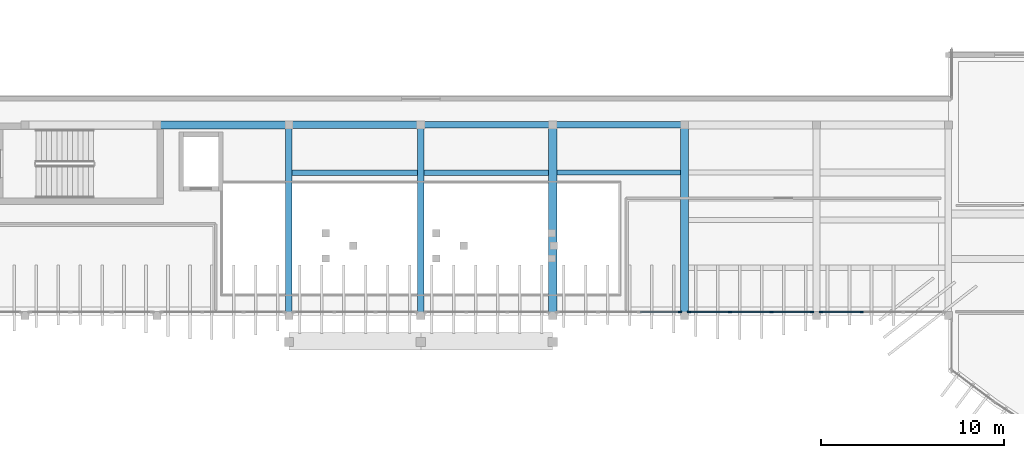
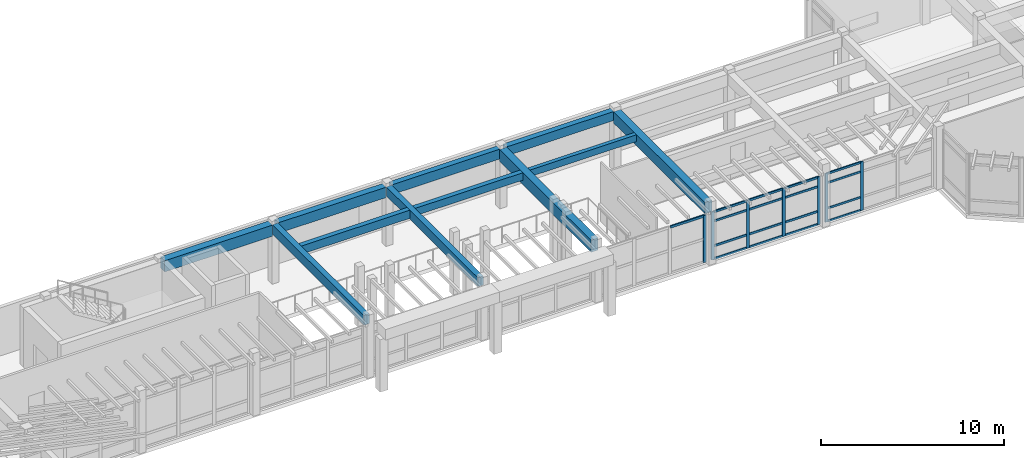
# One storey, part 17 of 60: 24 members, 11 beams, 3 elements without a shape of their own.
"""IFC4 building model written with IfcOpenShell, lengths in metres."""

from ifc_helpers import new_model, si_unit, direction, frame, origin, origin_2d, place, context, subcontext, project, spatial, rectangle, extrude, material, layer, layer_set, material_profile, profile_set, type_object, element, aggregate, save


model = new_model("IFC4")

# Units and contexts
model_context = context("Model", 3, precision=1e-05, world=origin(), true_north=direction((0.0, 1.0)))
body_context = subcontext(model_context, "Body", "Model", "MODEL_VIEW")
ifc_project = project(units=[si_unit("LENGTHUNIT", "METRE"), si_unit("AREAUNIT", "SQUARE_METRE"), si_unit("VOLUMEUNIT", "CUBIC_METRE"), si_unit("PLANEANGLEUNIT", "RADIAN"), si_unit("MASSUNIT", "GRAM", prefix="KILO")], contexts=[model_context])

# Site, building, storey
site_placement = place(None, origin())
site = spatial("IfcSite", under=ifc_project, at=site_placement, CompositionType="ELEMENT")
building_placement = place(site_placement, origin())
building = spatial("IfcBuilding", under=site, at=building_placement, Name="Brisavento Harbour Community Centre", CompositionType="ELEMENT")
storey_placement = place(building_placement, frame((0.0, 0.0, 4.5)))
storey = spatial("IfcBuildingStorey", under=building, at=storey_placement, Name="L01", CompositionType="ELEMENT", Elevation=4.5)

# Beams
ifc_material_1 = material(Name="Concrete C35/45", Category="concrete")
ifc_material_profile_1 = material_profile(ifc_material_1, rectangle(XDim=0.25, YDim=0.449951171875, at=origin_2d()), Name="Concrete C35/45")
ifc_profile_set_1 = profile_set([ifc_material_profile_1], Name="Concrete C35/45")
beam_type_1 = type_object("IfcBeamType", Name="BM-JST-250x450", PredefinedType="JOIST", material=ifc_profile_set_1)
beam_1_placement = place(storey_placement, frame((86.625, 22.199951171875, 3.72509765625), z_axis=(1.0, 0.0, 0.0), x_axis=(0.0, 1.0, 0.0)))
element("IfcBeam", 1, at=beam_1_placement, inside=storey, type_object=beam_type_1, Name="L01 secondary floor joist 0244", PredefinedType="JOIST", context=body_context, shape_type="SweptSolid", body=[
    extrude(rectangle(XDim=0.25, YDim=0.449951171875, at=origin_2d()), origin(), (0.0, 0.0, 1.0), 6.75),
])
ifc_material_profile_2 = material_profile(ifc_material_1, rectangle(XDim=0.300048828125, YDim=0.5, at=origin_2d()), Name="Concrete C35/45")
ifc_profile_set_2 = profile_set([ifc_material_profile_2], Name="Concrete C35/45")
beam_type_2 = type_object("IfcBeamType", Name="BM-JST-300x500", PredefinedType="JOIST", material=ifc_profile_set_2)
beam_2_placement = place(storey_placement, frame((79.375, 22.199951171875, 3.699951171875), z_axis=(1.0, 0.0, 0.0), x_axis=(0.0, 1.0, 0.0)))
element("IfcBeam", 2, at=beam_2_placement, inside=storey, type_object=beam_type_2, Name="L01 secondary floor joist 0243", PredefinedType="JOIST", context=body_context, shape_type="SweptSolid", body=[
    extrude(rectangle(XDim=0.300048828125, YDim=0.5, at=origin_2d()), origin(), (0.0, 0.0, 1.0), 6.800048828125),
])
ifc_material_profile_3 = material_profile(ifc_material_1, rectangle(XDim=0.300048828125, YDim=0.550048828125, at=origin_2d()), Name="Concrete C35/45")
ifc_profile_set_3 = profile_set([ifc_material_profile_3], Name="Concrete C35/45")
beam_type_3 = type_object("IfcBeamType", Name="BM-JST-300x550", PredefinedType="JOIST", material=ifc_profile_set_3)
beam_3_placement = place(storey_placement, frame((72.175048828125, 22.199951171875, 3.675048828125), z_axis=(1.0, 0.0, 0.0), x_axis=(0.0, 1.0, 0.0)))
element("IfcBeam", 3, at=beam_3_placement, inside=storey, type_object=beam_type_3, Name="L01 secondary floor joist 0242", PredefinedType="JOIST", context=body_context, shape_type="SweptSolid", body=[
    extrude(rectangle(XDim=0.300048828125, YDim=0.550048828125, at=origin_2d()), origin(), (0.0, 0.0, 1.0), 6.849853515625),
])
ifc_material_profile_4 = material_profile(ifc_material_1, rectangle(XDim=0.35009765625, YDim=0.60009765625, at=origin_2d()), Name="Concrete C35/45")
ifc_profile_set_4 = profile_set([ifc_material_profile_4], Name="Concrete C35/45")
beam_type_4 = type_object("IfcBeamType", Name="BM-RC-350x600", PredefinedType="BEAM", material=ifc_profile_set_4)
beam_4_placement = place(storey_placement, frame((86.594970703125, 24.800048828125, 3.64990234375), z_axis=(1.0, 0.0, 0.0), x_axis=(0.0, 1.0, 0.0)))
element("IfcBeam", 4, at=beam_4_placement, inside=storey, type_object=beam_type_4, Name="L01 primary girder X0429", PredefinedType="BEAM", context=body_context, shape_type="SweptSolid", body=[
    extrude(rectangle(XDim=0.35009765625, YDim=0.60009765625, at=origin_2d()), origin(), (0.0, 0.0, 1.0), 6.81005859375),
])
beam_5_placement = place(storey_placement, frame((79.199951171875, 14.594970703125, 3.64990234375), z_axis=(0.0, 1.0, 0.0), x_axis=(-1.0, 0.0, 0.0)))
element("IfcBeam", 5, at=beam_5_placement, inside=storey, type_object=beam_type_4, Name="L01 primary girder Y0499", PredefinedType="BEAM", context=body_context, shape_type="SweptSolid", body=[
    extrude(rectangle(XDim=0.35009765625, YDim=0.60009765625, at=origin_2d()), origin(), (0.0, 0.0, 1.0), 10.010009765625),
])
ifc_material_profile_5 = material_profile(ifc_material_1, rectangle(XDim=0.35009765625, YDim=0.64990234375, at=origin_2d()), Name="Concrete C35/45")
ifc_profile_set_5 = profile_set([ifc_material_profile_5], Name="Concrete C35/45")
beam_type_5 = type_object("IfcBeamType", Name="BM-RC-350x650", PredefinedType="BEAM", material=ifc_profile_set_5)
beam_6_placement = place(storey_placement, frame((79.39501953125, 24.800048828125, 3.625), z_axis=(1.0, 0.0, 0.0), x_axis=(0.0, 1.0, 0.0)))
element("IfcBeam", 6, at=beam_6_placement, inside=storey, type_object=beam_type_5, Name="L01 primary girder X0428", PredefinedType="BEAM", context=body_context, shape_type="SweptSolid", body=[
    extrude(rectangle(XDim=0.35009765625, YDim=0.64990234375, at=origin_2d()), origin(), (0.0, 0.0, 1.0), 6.81005859375),
])
beam_7_placement = place(storey_placement, frame((72.0, 14.594970703125, 3.625), z_axis=(0.0, 1.0, 0.0), x_axis=(-1.0, 0.0, 0.0)))
element("IfcBeam", 7, at=beam_7_placement, inside=storey, type_object=beam_type_5, Name="L01 primary girder Y0498", PredefinedType="BEAM", context=body_context, shape_type="SweptSolid", body=[
    extrude(rectangle(XDim=0.35009765625, YDim=0.64990234375, at=origin_2d()), origin(), (0.0, 0.0, 1.0), 10.010009765625),
])
ifc_material_profile_6 = material_profile(ifc_material_1, rectangle(XDim=0.39990234375, YDim=0.699951171875, at=origin_2d()), Name="Concrete C35/45")
ifc_profile_set_6 = profile_set([ifc_material_profile_6], Name="Concrete C35/45")
beam_type_6 = type_object("IfcBeamType", Name="BM-RC-400x700", PredefinedType="BEAM", material=ifc_profile_set_6)
beam_8_placement = place(storey_placement, frame((72.195068359375, 24.800048828125, 3.60009765625), z_axis=(1.0, 0.0, 0.0), x_axis=(0.0, 1.0, 0.0)))
element("IfcBeam", 8, at=beam_8_placement, inside=storey, type_object=beam_type_6, Name="L01 primary girder X0427", PredefinedType="BEAM", context=body_context, shape_type="SweptSolid", body=[
    extrude(rectangle(XDim=0.39990234375, YDim=0.699951171875, at=origin_2d()), origin(), (0.0, 0.0, 1.0), 6.809814453125),
])
ifc_material_profile_7 = material_profile(ifc_material_1, rectangle(XDim=0.449951171875, YDim=0.75, at=origin_2d()), Name="Concrete C35/45")
ifc_profile_set_7 = profile_set([ifc_material_profile_7], Name="Concrete C35/45")
beam_type_7 = type_object("IfcBeamType", Name="BM-RC-450x750", PredefinedType="BEAM", material=ifc_profile_set_7)
beam_9_placement = place(storey_placement, frame((64.9951171875, 24.800048828125, 3.574951171875), z_axis=(1.0, 0.0, 0.0), x_axis=(0.0, 1.0, 0.0)))
element("IfcBeam", 9, at=beam_9_placement, inside=storey, type_object=beam_type_7, Name="L01 primary girder X0426", PredefinedType="BEAM", context=body_context, shape_type="SweptSolid", body=[
    extrude(rectangle(XDim=0.449951171875, YDim=0.75, at=origin_2d()), origin(), (0.0, 0.0, 1.0), 6.809814453125),
])
beam_10_placement = place(storey_placement, frame((93.60009765625, 14.594970703125, 3.574951171875), z_axis=(0.0, 1.0, 0.0), x_axis=(-1.0, 0.0, 0.0)))
element("IfcBeam", 10, at=beam_10_placement, inside=storey, type_object=beam_type_7, Name="L01 primary girder Y0501", PredefinedType="BEAM", context=body_context, shape_type="SweptSolid", body=[
    extrude(rectangle(XDim=0.449951171875, YDim=0.75, at=origin_2d()), origin(), (0.0, 0.0, 1.0), 10.010009765625),
])
ifc_material_profile_8 = material_profile(ifc_material_1, rectangle(XDim=0.449951171875, YDim=0.800048828125, at=origin_2d()), Name="Concrete C35/45")
ifc_profile_set_8 = profile_set([ifc_material_profile_8], Name="Concrete C35/45")
beam_type_8 = type_object("IfcBeamType", Name="BM-RC-450x800", PredefinedType="BEAM", material=ifc_profile_set_8)
beam_11_placement = place(storey_placement, frame((86.39990234375, 14.594970703125, 3.550048828125), z_axis=(0.0, 1.0, 0.0), x_axis=(-1.0, 0.0, 0.0)))
element("IfcBeam", 11, at=beam_11_placement, inside=storey, type_object=beam_type_8, Name="L01 primary girder Y0500", PredefinedType="BEAM", context=body_context, shape_type="SweptSolid", body=[
    extrude(rectangle(XDim=0.449951171875, YDim=0.800048828125, at=origin_2d()), origin(), (0.0, 0.0, 1.0), 10.010009765625),
])

# Curtain wall, members
ifc_material_2 = material(Name="Marine-anodised aluminium AW-6063-T6", Category="aluminium")
ifc_layer_1 = layer(ifc_material_2, 0.179931640625, Name="Marine-anodised aluminium AW-6063-T6")
ifc_layer_set_1 = layer_set([ifc_layer_1], Name="Marine-anodised aluminium AW-6063-T6")
curtain_wall_type_1 = type_object("IfcCurtainWallType", Name="CW-SYS-22", PredefinedType="USERDEFINED", material=ifc_layer_set_1)
curtain_wall_1_placement = place(storey_placement, origin())
curtain_wall_1 = element("IfcCurtainWall", 12, at=curtain_wall_1_placement, inside=storey, type_object=curtain_wall_type_1, Name="L01 V2 unitised curtain wall 050", ObjectType="UNITISED CURTAIN WALL", PredefinedType="USERDEFINED")
ifc_material_profile_9 = material_profile(ifc_material_2, rectangle(XDim=0.070068359375, YDim=0.179931640625, at=origin_2d()), Name="Marine-anodised aluminium AW-6063-T6")
ifc_profile_set_9 = profile_set([ifc_material_profile_9], Name="Marine-anodised aluminium AW-6063-T6")
member_type_1 = type_object("IfcMemberType", Name="CWM-02", PredefinedType="MULLION", material=ifc_profile_set_9)
member_1_placement = place(storey_placement, frame((103.27001953125, 14.580078125, 0.0), z_axis=(0.0, 0.0, 1.0), x_axis=(0.0, -1.0, 0.0)))
member_1 = element("IfcMember", 13, at=member_1_placement, type_object=member_type_1, Name="CW-22 mullion 3", PredefinedType="MULLION", context=body_context, shape_type="SweptSolid", body=[
    extrude(rectangle(XDim=0.070068359375, YDim=0.179931640625, at=origin_2d()), origin(), (0.0, 0.0, 1.0), 3.25),
])
member_2_placement = place(storey_placement, frame((101.044921875, 14.580078125, 0.0), z_axis=(0.0, 0.0, 1.0), x_axis=(0.0, -1.0, 0.0)))
member_2 = element("IfcMember", 14, at=member_2_placement, type_object=member_type_1, Name="CW-22 mullion 4", PredefinedType="MULLION", context=body_context, shape_type="SweptSolid", body=[
    extrude(rectangle(XDim=0.070068359375, YDim=0.179931640625, at=origin_2d()), origin(), (0.0, 0.0, 1.0), 3.25),
])

ifc_layer_2 = layer(ifc_material_2, 0.179931640625, Name="Marine-anodised aluminium AW-6063-T6")
ifc_layer_set_2 = layer_set([ifc_layer_2], Name="Marine-anodised aluminium AW-6063-T6")
curtain_wall_type_2 = type_object("IfcCurtainWallType", Name="CW-SYS-23", PredefinedType="USERDEFINED", material=ifc_layer_set_2)
curtain_wall_2_placement = place(storey_placement, origin())
curtain_wall_2 = element("IfcCurtainWall", 15, at=curtain_wall_2_placement, inside=storey, type_object=curtain_wall_type_2, Name="L01 V2 unitised curtain wall 051", ObjectType="UNITISED CURTAIN WALL", PredefinedType="USERDEFINED")
ifc_material_profile_10 = material_profile(ifc_material_2, rectangle(XDim=0.074951171875, YDim=0.18994140625, at=origin_2d()), Name="Marine-anodised aluminium AW-6063-T6")
ifc_profile_set_10 = profile_set([ifc_material_profile_10], Name="Marine-anodised aluminium AW-6063-T6")
member_type_2 = type_object("IfcMemberType", Name="CWM-03", PredefinedType="MULLION", material=ifc_profile_set_10)
member_3_placement = place(storey_placement, frame((100.552490234375, 14.580078125, 0.0), z_axis=(0.0, 0.0, 1.0), x_axis=(0.0, -1.0, 0.0)))
member_3 = element("IfcMember", 16, at=member_3_placement, type_object=member_type_2, Name="CW-23 mullion 1", PredefinedType="MULLION", context=body_context, shape_type="SweptSolid", body=[
    extrude(rectangle(XDim=0.074951171875, YDim=0.18994140625, at=origin_2d()), origin(), (0.0, 0.0, 1.0), 3.199951171875),
])
member_4_placement = place(storey_placement, frame((98.330078125, 14.580078125, 0.0), z_axis=(0.0, 0.0, 1.0), x_axis=(0.0, -1.0, 0.0)))
member_4 = element("IfcMember", 17, at=member_4_placement, type_object=member_type_2, Name="CW-23 mullion 2", PredefinedType="MULLION", context=body_context, shape_type="SweptSolid", body=[
    extrude(rectangle(XDim=0.074951171875, YDim=0.18994140625, at=origin_2d()), origin(), (0.0, 0.0, 1.0), 3.199951171875),
])
member_5_placement = place(storey_placement, frame((96.070068359375, 14.580078125, 0.0), z_axis=(0.0, 0.0, 1.0), x_axis=(0.0, -1.0, 0.0)))
member_5 = element("IfcMember", 18, at=member_5_placement, type_object=member_type_2, Name="CW-23 mullion 3", PredefinedType="MULLION", context=body_context, shape_type="SweptSolid", body=[
    extrude(rectangle(XDim=0.074951171875, YDim=0.18994140625, at=origin_2d()), origin(), (0.0, 0.0, 1.0), 3.199951171875),
])
member_6_placement = place(storey_placement, frame((93.847412109375, 14.580078125, 0.0), z_axis=(0.0, 0.0, 1.0), x_axis=(0.0, -1.0, 0.0)))
member_6 = element("IfcMember", 19, at=member_6_placement, type_object=member_type_2, Name="CW-23 mullion 4", PredefinedType="MULLION", context=body_context, shape_type="SweptSolid", body=[
    extrude(rectangle(XDim=0.074951171875, YDim=0.18994140625, at=origin_2d()), origin(), (0.0, 0.0, 1.0), 3.199951171875),
])

# Curtain wall, member
ifc_layer_3 = layer(ifc_material_2, 0.179931640625, Name="Marine-anodised aluminium AW-6063-T6")
ifc_layer_set_3 = layer_set([ifc_layer_3], Name="Marine-anodised aluminium AW-6063-T6")
curtain_wall_type_3 = type_object("IfcCurtainWallType", Name="CW-SYS-24", PredefinedType="USERDEFINED", material=ifc_layer_set_3)
curtain_wall_3_placement = place(storey_placement, origin())
curtain_wall_3 = element("IfcCurtainWall", 20, at=curtain_wall_3_placement, inside=storey, type_object=curtain_wall_type_3, Name="L01 V2 unitised curtain wall 052", ObjectType="UNITISED CURTAIN WALL", PredefinedType="USERDEFINED")
ifc_material_profile_11 = material_profile(ifc_material_2, rectangle(XDim=0.080078125, YDim=0.2099609375, at=origin_2d()), Name="Marine-anodised aluminium AW-6063-T6")
ifc_profile_set_11 = profile_set([ifc_material_profile_11], Name="Marine-anodised aluminium AW-6063-T6")
member_type_3 = type_object("IfcMemberType", Name="CWM-04", PredefinedType="MULLION", material=ifc_profile_set_11)
member_7_placement = place(storey_placement, frame((93.35009765625, 14.580078125, 0.0), z_axis=(0.0, 0.0, 1.0), x_axis=(0.0, -1.0, 0.0)))
member_7 = element("IfcMember", 21, at=member_7_placement, type_object=member_type_3, Name="CW-24 mullion 1", PredefinedType="MULLION", context=body_context, shape_type="SweptSolid", body=[
    extrude(rectangle(XDim=0.080078125, YDim=0.2099609375, at=origin_2d()), origin(), (0.0, 0.0, 1.0), 3.14990234375),
])

# Member
ifc_material_profile_12 = material_profile(ifc_material_2, rectangle(XDim=0.070068359375, YDim=0.132080078125, at=origin_2d()), Name="Marine-anodised aluminium AW-6063-T6")
ifc_profile_set_12 = profile_set([ifc_material_profile_12], Name="Marine-anodised aluminium AW-6063-T6")
member_type_4 = type_object("IfcMemberType", Name="CWT-02", PredefinedType="USERDEFINED", material=ifc_profile_set_12)
member_8_placement = place(storey_placement, frame((103.235107421875, 14.580078125, 0.034912109375), z_axis=(-1.0, 0.0, 0.0), x_axis=(0.0, -1.0, 0.0)))
member_8 = element("IfcMember", 22, at=member_8_placement, type_object=member_type_4, Name="CW-22 transom 3.1", ObjectType="TRANSOM", PredefinedType="USERDEFINED", context=body_context, shape_type="SweptSolid", body=[
    extrude(rectangle(XDim=0.070068359375, YDim=0.132080078125, at=origin_2d()), origin(), (0.0, 0.0, 1.0), 2.155029296875),
])

member_9_placement = place(storey_placement, frame((103.235107421875, 14.580078125, 0.89990234375), z_axis=(-1.0, 0.0, 0.0), x_axis=(0.0, -1.0, 0.0)))
member_9 = element("IfcMember", 23, at=member_9_placement, type_object=member_type_4, Name="CW-22 transom 3.2", ObjectType="TRANSOM", PredefinedType="USERDEFINED", context=body_context, shape_type="SweptSolid", body=[
    extrude(rectangle(XDim=0.070068359375, YDim=0.132080078125, at=origin_2d()), origin(), (0.0, 0.0, 1.0), 2.155029296875),
])

member_10_placement = place(storey_placement, frame((103.235107421875, 14.580078125, 2.60009765625), z_axis=(-1.0, 0.0, 0.0), x_axis=(0.0, -1.0, 0.0)))
member_10 = element("IfcMember", 24, at=member_10_placement, type_object=member_type_4, Name="CW-22 transom 3.3", ObjectType="TRANSOM", PredefinedType="USERDEFINED", context=body_context, shape_type="SweptSolid", body=[
    extrude(rectangle(XDim=0.070068359375, YDim=0.132080078125, at=origin_2d()), origin(), (0.0, 0.0, 1.0), 2.155029296875),
])

member_11_placement = place(storey_placement, frame((103.235107421875, 14.580078125, 3.215087890625), z_axis=(-1.0, 0.0, 0.0), x_axis=(0.0, -1.0, 0.0)))
member_11 = element("IfcMember", 25, at=member_11_placement, type_object=member_type_4, Name="CW-22 transom 3.4", ObjectType="TRANSOM", PredefinedType="USERDEFINED", context=body_context, shape_type="SweptSolid", body=[
    extrude(rectangle(XDim=0.070068359375, YDim=0.132080078125, at=origin_2d()), origin(), (0.0, 0.0, 1.0), 2.155029296875),
])

aggregate(curtain_wall_1, [member_1, member_2, member_8, member_9, member_10, member_11])

ifc_material_profile_13 = material_profile(ifc_material_2, rectangle(XDim=0.074951171875, YDim=0.139892578125, at=origin_2d()), Name="Marine-anodised aluminium AW-6063-T6")
ifc_profile_set_13 = profile_set([ifc_material_profile_13], Name="Marine-anodised aluminium AW-6063-T6")
member_type_5 = type_object("IfcMemberType", Name="CWT-03", PredefinedType="USERDEFINED", material=ifc_profile_set_13)
member_12_placement = place(storey_placement, frame((100.514892578125, 14.580078125, 0.03759765625), z_axis=(-1.0, 0.0, 0.0), x_axis=(0.0, -1.0, 0.0)))
member_12 = element("IfcMember", 26, at=member_12_placement, type_object=member_type_5, Name="CW-23 transom 1.1", ObjectType="TRANSOM", PredefinedType="USERDEFINED", context=body_context, shape_type="SweptSolid", body=[
    extrude(rectangle(XDim=0.074951171875, YDim=0.139892578125, at=origin_2d()), origin(), (0.0, 0.0, 1.0), 2.1474609375),
])

member_13_placement = place(storey_placement, frame((100.514892578125, 14.580078125, 0.89990234375), z_axis=(-1.0, 0.0, 0.0), x_axis=(0.0, -1.0, 0.0)))
member_13 = element("IfcMember", 27, at=member_13_placement, type_object=member_type_5, Name="CW-23 transom 1.2", ObjectType="TRANSOM", PredefinedType="USERDEFINED", context=body_context, shape_type="SweptSolid", body=[
    extrude(rectangle(XDim=0.074951171875, YDim=0.139892578125, at=origin_2d()), origin(), (0.0, 0.0, 1.0), 2.1474609375),
])

member_14_placement = place(storey_placement, frame((100.514892578125, 14.580078125, 2.550048828125), z_axis=(-1.0, 0.0, 0.0), x_axis=(0.0, -1.0, 0.0)))
member_14 = element("IfcMember", 28, at=member_14_placement, type_object=member_type_5, Name="CW-23 transom 1.3", ObjectType="TRANSOM", PredefinedType="USERDEFINED", context=body_context, shape_type="SweptSolid", body=[
    extrude(rectangle(XDim=0.074951171875, YDim=0.139892578125, at=origin_2d()), origin(), (0.0, 0.0, 1.0), 2.1474609375),
])

member_15_placement = place(storey_placement, frame((100.514892578125, 14.580078125, 3.16259765625), z_axis=(-1.0, 0.0, 0.0), x_axis=(0.0, -1.0, 0.0)))
member_15 = element("IfcMember", 29, at=member_15_placement, type_object=member_type_5, Name="CW-23 transom 1.4", ObjectType="TRANSOM", PredefinedType="USERDEFINED", context=body_context, shape_type="SweptSolid", body=[
    extrude(rectangle(XDim=0.074951171875, YDim=0.139892578125, at=origin_2d()), origin(), (0.0, 0.0, 1.0), 2.1474609375),
])

member_16_placement = place(storey_placement, frame((98.29248046875, 14.580078125, 0.03759765625), z_axis=(-1.0, 0.0, 0.0), x_axis=(0.0, -1.0, 0.0)))
member_16 = element("IfcMember", 30, at=member_16_placement, type_object=member_type_5, Name="CW-23 transom 2.1", ObjectType="TRANSOM", PredefinedType="USERDEFINED", context=body_context, shape_type="SweptSolid", body=[
    extrude(rectangle(XDim=0.074951171875, YDim=0.139892578125, at=origin_2d()), origin(), (0.0, 0.0, 1.0), 2.18505859375),
])

member_17_placement = place(storey_placement, frame((98.29248046875, 14.580078125, 0.89990234375), z_axis=(-1.0, 0.0, 0.0), x_axis=(0.0, -1.0, 0.0)))
member_17 = element("IfcMember", 31, at=member_17_placement, type_object=member_type_5, Name="CW-23 transom 2.2", ObjectType="TRANSOM", PredefinedType="USERDEFINED", context=body_context, shape_type="SweptSolid", body=[
    extrude(rectangle(XDim=0.074951171875, YDim=0.139892578125, at=origin_2d()), origin(), (0.0, 0.0, 1.0), 2.18505859375),
])

member_18_placement = place(storey_placement, frame((98.29248046875, 14.580078125, 2.550048828125), z_axis=(-1.0, 0.0, 0.0), x_axis=(0.0, -1.0, 0.0)))
member_18 = element("IfcMember", 32, at=member_18_placement, type_object=member_type_5, Name="CW-23 transom 2.3", ObjectType="TRANSOM", PredefinedType="USERDEFINED", context=body_context, shape_type="SweptSolid", body=[
    extrude(rectangle(XDim=0.074951171875, YDim=0.139892578125, at=origin_2d()), origin(), (0.0, 0.0, 1.0), 2.18505859375),
])

member_19_placement = place(storey_placement, frame((98.29248046875, 14.580078125, 3.16259765625), z_axis=(-1.0, 0.0, 0.0), x_axis=(0.0, -1.0, 0.0)))
member_19 = element("IfcMember", 33, at=member_19_placement, type_object=member_type_5, Name="CW-23 transom 2.4", ObjectType="TRANSOM", PredefinedType="USERDEFINED", context=body_context, shape_type="SweptSolid", body=[
    extrude(rectangle(XDim=0.074951171875, YDim=0.139892578125, at=origin_2d()), origin(), (0.0, 0.0, 1.0), 2.18505859375),
])

member_20_placement = place(storey_placement, frame((96.032470703125, 14.580078125, 0.03759765625), z_axis=(-1.0, 0.0, 0.0), x_axis=(0.0, -1.0, 0.0)))
member_20 = element("IfcMember", 34, at=member_20_placement, type_object=member_type_5, Name="CW-23 transom 3.1", ObjectType="TRANSOM", PredefinedType="USERDEFINED", context=body_context, shape_type="SweptSolid", body=[
    extrude(rectangle(XDim=0.074951171875, YDim=0.139892578125, at=origin_2d()), origin(), (0.0, 0.0, 1.0), 2.1474609375),
])

member_21_placement = place(storey_placement, frame((96.032470703125, 14.580078125, 0.89990234375), z_axis=(-1.0, 0.0, 0.0), x_axis=(0.0, -1.0, 0.0)))
member_21 = element("IfcMember", 35, at=member_21_placement, type_object=member_type_5, Name="CW-23 transom 3.2", ObjectType="TRANSOM", PredefinedType="USERDEFINED", context=body_context, shape_type="SweptSolid", body=[
    extrude(rectangle(XDim=0.074951171875, YDim=0.139892578125, at=origin_2d()), origin(), (0.0, 0.0, 1.0), 2.1474609375),
])

member_22_placement = place(storey_placement, frame((96.032470703125, 14.580078125, 2.550048828125), z_axis=(-1.0, 0.0, 0.0), x_axis=(0.0, -1.0, 0.0)))
member_22 = element("IfcMember", 36, at=member_22_placement, type_object=member_type_5, Name="CW-23 transom 3.3", ObjectType="TRANSOM", PredefinedType="USERDEFINED", context=body_context, shape_type="SweptSolid", body=[
    extrude(rectangle(XDim=0.074951171875, YDim=0.139892578125, at=origin_2d()), origin(), (0.0, 0.0, 1.0), 2.1474609375),
])

member_23_placement = place(storey_placement, frame((96.032470703125, 14.580078125, 3.16259765625), z_axis=(-1.0, 0.0, 0.0), x_axis=(0.0, -1.0, 0.0)))
member_23 = element("IfcMember", 37, at=member_23_placement, type_object=member_type_5, Name="CW-23 transom 3.4", ObjectType="TRANSOM", PredefinedType="USERDEFINED", context=body_context, shape_type="SweptSolid", body=[
    extrude(rectangle(XDim=0.074951171875, YDim=0.139892578125, at=origin_2d()), origin(), (0.0, 0.0, 1.0), 2.1474609375),
])

aggregate(curtain_wall_2, [member_3, member_4, member_5, member_6, member_12, member_13, member_14, member_15, member_16, member_17, member_18, member_19, member_20, member_21, member_22, member_23])

ifc_material_profile_14 = material_profile(ifc_material_2, rectangle(XDim=0.080078125, YDim=0.155029296875, at=origin_2d()), Name="Marine-anodised aluminium AW-6063-T6")
ifc_profile_set_14 = profile_set([ifc_material_profile_14], Name="Marine-anodised aluminium AW-6063-T6")
member_type_6 = type_object("IfcMemberType", Name="CWT-04", PredefinedType="USERDEFINED", material=ifc_profile_set_14)
member_24_placement = place(storey_placement, frame((93.31005859375, 14.580078125, 3.110107421875), z_axis=(-1.0, 0.0, 0.0), x_axis=(0.0, -1.0, 0.0)))
member_24 = element("IfcMember", 38, at=member_24_placement, type_object=member_type_6, Name="CW-24 transom 1.3", ObjectType="TRANSOM", PredefinedType="USERDEFINED", context=body_context, shape_type="SweptSolid", body=[
    extrude(rectangle(XDim=0.080078125, YDim=0.155029296875, at=origin_2d()), origin(), (0.0, 0.0, 1.0), 2.14013671875),
])

aggregate(curtain_wall_3, [member_7, member_24])

save(model, "model.ifc")
